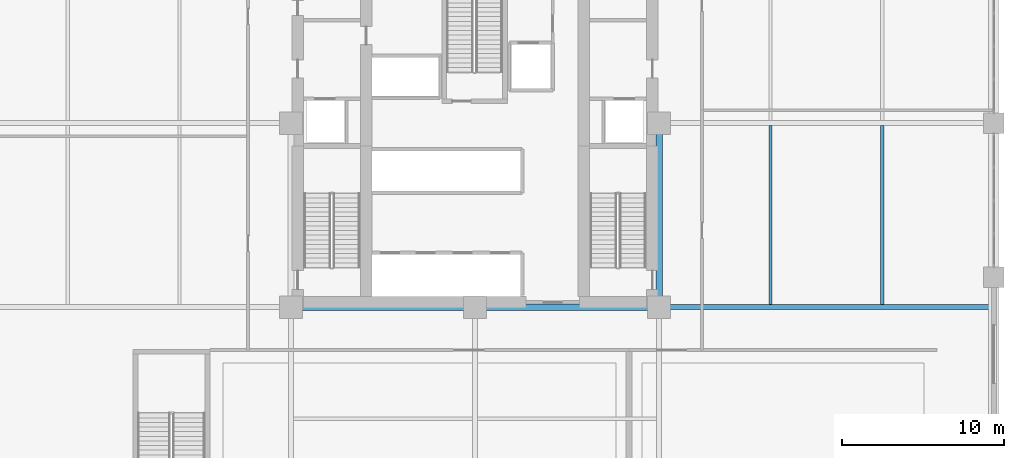
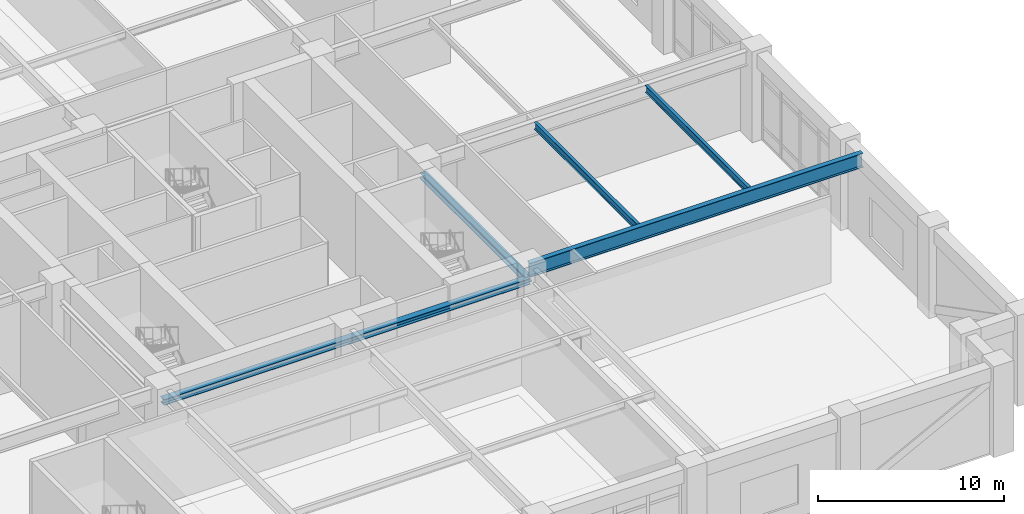
# One storey, part 5 of 21: 3 beams, 2 members.
"""IFC4 building model written with IfcOpenShell, lengths in metres."""

from ifc_helpers import new_model, si_unit, direction, frame, origin, origin_2d, place, context, subcontext, project, spatial, i_section, extrude, material, material_profile, profile_set, type_object, element, save


model = new_model("IFC4")

# Units and contexts
model_context = context("Model", 3, precision=1e-05, world=origin(), true_north=direction((0.0, 1.0)))
body_context = subcontext(model_context, "Body", "Model", "MODEL_VIEW")
ifc_project = project(units=[si_unit("LENGTHUNIT", "METRE"), si_unit("AREAUNIT", "SQUARE_METRE"), si_unit("VOLUMEUNIT", "CUBIC_METRE"), si_unit("PLANEANGLEUNIT", "RADIAN"), si_unit("MASSUNIT", "GRAM", prefix="KILO")], contexts=[model_context])

# Site, building, storey
site_placement = place(None, origin())
site = spatial("IfcSite", under=ifc_project, at=site_placement, CompositionType="ELEMENT")
building_placement = place(site_placement, origin())
building = spatial("IfcBuilding", under=site, at=building_placement, Name="Nhamokura Convention Tower", CompositionType="ELEMENT")
storey_placement = place(building_placement, frame((0.0, 0.0, 17.85009765625)))
storey = spatial("IfcBuildingStorey", under=building, at=storey_placement, Name="L03", CompositionType="ELEMENT", Elevation=17.85009765625)

# Beams
ifc_material_1 = material(Name="Steel ASTM A992 Gr 50", Category="steel")
ifc_material_profile_1 = material_profile(ifc_material_1, i_section(OverallWidth=0.19189453125, OverallDepth=0.462890625, WebThickness=0.010498046875, FlangeThickness=0.017578125, at=origin_2d()))
ifc_profile_set_1 = profile_set([ifc_material_profile_1], Name="Steel ASTM A992 Gr 50")
beam_type_1 = type_object("IfcBeamType", Name="FloorJoist_W460X89", PredefinedType="JOIST", material=ifc_profile_set_1)
for number, where, z_axis, x_axis, name in (
    (1, (50.2333984375, 20.802001953125, 5.478515625), (0.0, 1.0, 0.0), (-1.0, 0.0, 0.0), "L03 Composite Floor Joist E1A"),
    (2, (57.11669921875, 20.802001953125, 5.478515625), (0.0, 1.0, 0.0), (-1.0, 0.0, 0.0), "L03 Composite Floor Joist E2A"),
):
    element("IfcBeam", number, at=place(storey_placement, frame(where, z_axis=z_axis, x_axis=x_axis)), inside=storey, type_object=beam_type_1, Name=name, PredefinedType="JOIST", context=body_context, shape_type="SweptSolid", body=[
        extrude(i_section(OverallWidth=0.19189453125, OverallDepth=0.462890625, WebThickness=0.010498046875, FlangeThickness=0.017578125, at=origin_2d()), origin(), (0.0, 0.0, 1.0), 11.0458984375),
    ])
ifc_material_2 = material(Name="Steel ASTM A992 Gr 50", Category="steel")
ifc_material_profile_2 = material_profile(ifc_material_2, i_section(OverallWidth=0.30810546875, OverallDepth=0.927001953125, WebThickness=0.019287109375, FlangeThickness=0.031982421875, at=origin_2d()))
ifc_profile_set_2 = profile_set([ifc_material_profile_2], Name="Steel ASTM A992 Gr 50")
beam_type_2 = type_object("IfcBeamType", Name="HallGirder_W920X289", PredefinedType="BEAM", material=ifc_profile_set_2)
beam_placement = place(storey_placement, frame((43.35009765625, 20.64990234375, 5.246337890625), z_axis=(1.0, 0.0, 0.0), x_axis=(0.0, 1.0, 0.0)))
element("IfcBeam", 3, at=beam_placement, inside=storey, type_object=beam_type_2, Name="L03 Primary Floor Girder PG-E1", PredefinedType="BEAM", context=body_context, shape_type="SweptSolid", body=[
    extrude(i_section(OverallWidth=0.30810546875, OverallDepth=0.927001953125, WebThickness=0.019287109375, FlangeThickness=0.031982421875, at=origin_2d()), origin(), (0.0, 0.0, 1.0), 20.64990234375),
])

# Members
ifc_material_3 = material(Name="Steel ASTM A572 Gr 50", Category="steel")
ifc_material_profile_3 = material_profile(ifc_material_3, i_section(OverallWidth=0.39794921875, OverallDepth=0.386962890625, WebThickness=0.02099609375, FlangeThickness=0.033203125, at=origin_2d()))
ifc_profile_set_3 = profile_set([ifc_material_profile_3], Name="Steel ASTM A572 Gr 50")
member_type = type_object("IfcMemberType", Name="HallTrussChord_W360X262", PredefinedType="CHORD", material=ifc_profile_set_3)
member_1_placement = place(storey_placement, frame((20.64990234375, 20.64990234375, 4.559814453125), z_axis=(1.0, 0.0, 0.0), x_axis=(0.0, 1.0, 0.0)))
element("IfcMember", 4, at=member_1_placement, inside=storey, type_object=member_type, Name="L03 Convention Hall Truss Chord HTC-S", PredefinedType="CHORD", context=body_context, shape_type="SweptSolid", body=[
    extrude(i_section(OverallWidth=0.39794921875, OverallDepth=0.386962890625, WebThickness=0.02099609375, FlangeThickness=0.033203125, at=origin_2d()), origin(), (0.0, 0.0, 1.0), 22.7001953125),
])
member_2_placement = place(storey_placement, frame((43.35009765625, 20.64990234375, 4.559814453125), z_axis=(0.0, 1.0, 0.0), x_axis=(-1.0, 0.0, 0.0)))
element("IfcMember", 5, at=member_2_placement, inside=storey, type_object=member_type, Name="L03 Convention Hall Truss Chord HTC-E", PredefinedType="CHORD", context=body_context, shape_type="SweptSolid", body=[
    extrude(i_section(OverallWidth=0.39794921875, OverallDepth=0.386962890625, WebThickness=0.02099609375, FlangeThickness=0.033203125, at=origin_2d()), origin(), (0.0, 0.0, 1.0), 11.35009765625),
])

save(model, "model.ifc")
